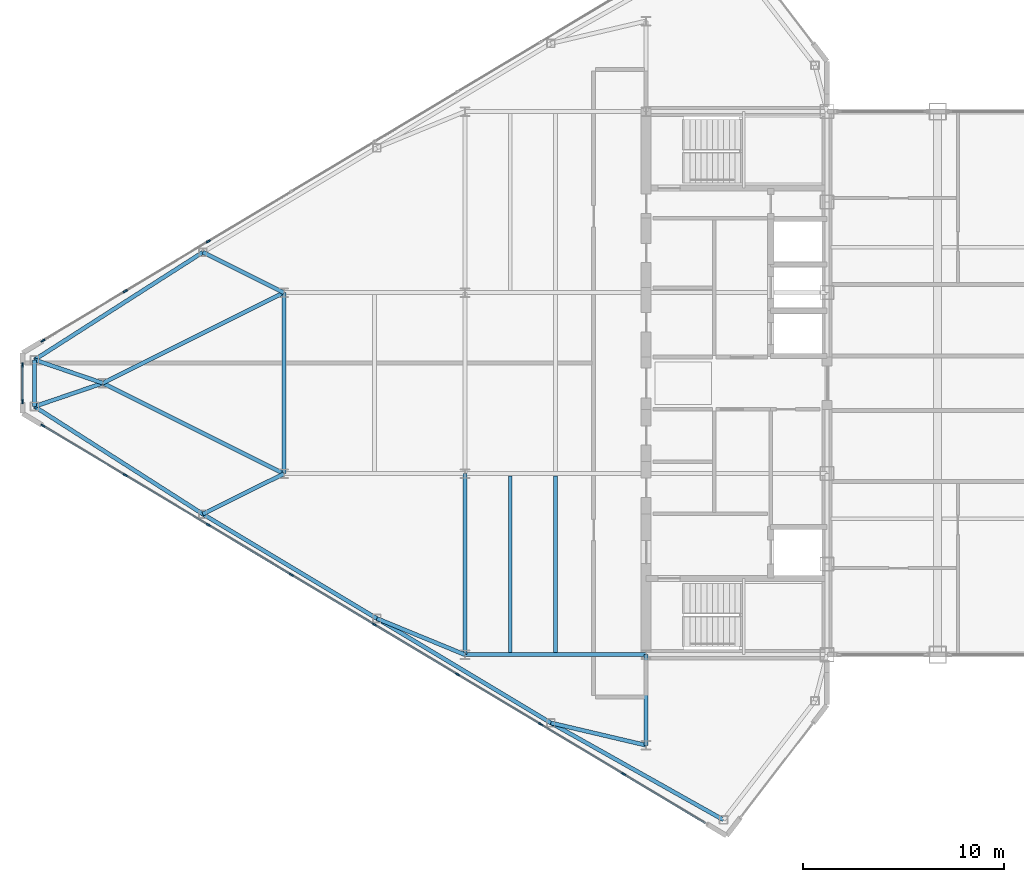
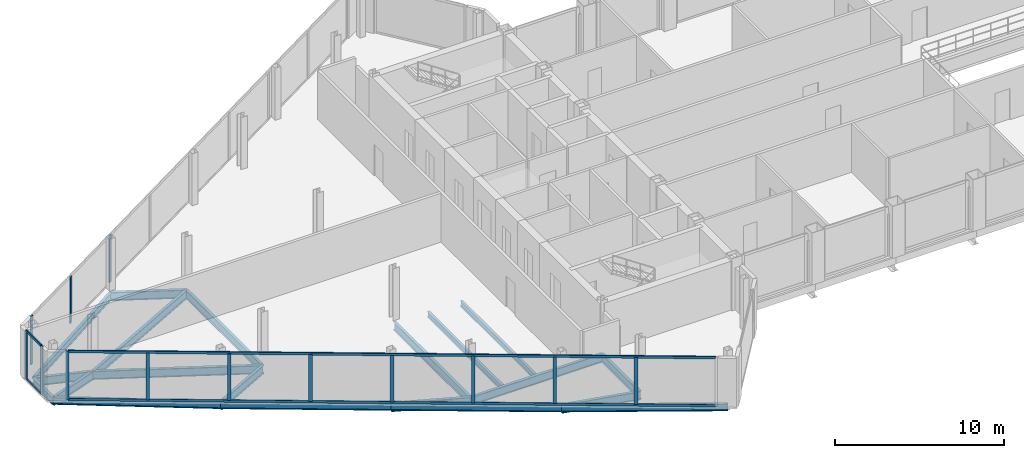
# One storey, part 8 of 29: 20 beams, 17 members, 3 elements without a shape of their own.
"""IFC4 building model written with IfcOpenShell, lengths in metres."""

from ifc_helpers import new_model, si_unit, direction, frame, origin, origin_2d, place, context, subcontext, project, spatial, rectangle, i_section, extrude, source, transform, mapped, material, layer, layer_set, material_profile, profile_set, type_object, type_shapes, element, aggregate, save


model = new_model("IFC4")

# Units and contexts
model_context = context("Model", 3, precision=1e-05, world=origin(), true_north=direction((0.0, 1.0)))
body_context = subcontext(model_context, "Body", "Model", "MODEL_VIEW")
ifc_project = project(units=[si_unit("LENGTHUNIT", "METRE"), si_unit("AREAUNIT", "SQUARE_METRE"), si_unit("VOLUMEUNIT", "CUBIC_METRE"), si_unit("PLANEANGLEUNIT", "RADIAN"), si_unit("MASSUNIT", "GRAM", prefix="KILO")], contexts=[model_context])

# Site, building, storey
site_placement = place(None, origin())
site = spatial("IfcSite", under=ifc_project, at=site_placement, CompositionType="ELEMENT")
building_placement = place(site_placement, origin())
building = spatial("IfcBuilding", under=site, at=building_placement, Name="Seokmaru Belvedere", CompositionType="ELEMENT")
storey_placement = place(building_placement, frame((0.0, 0.0, 258.14990234375)))
storey = spatial("IfcBuildingStorey", under=building, at=storey_placement, Name="L68", CompositionType="ELEMENT", Elevation=258.14990234375)

# Beams
ifc_material_1 = material(Name="Steel SM355 (355 MPa)", Category="steel")
ifc_material_profile_1 = material_profile(ifc_material_1, i_section(OverallWidth=0.199951171875, OverallDepth=0.60009765625, WebThickness=0.010986328125, FlangeThickness=0.01708984375, at=origin_2d()), Name="H-600x200x11x17")
ifc_profile_set_1 = profile_set([ifc_material_profile_1], Name="Steel SM355 (355 MPa)")
beam_type_1 = type_object("IfcBeamType", Name="Primary Floor Girder H-600", PredefinedType="BEAM", material=ifc_profile_set_1)
shared_shape_1 = source(origin(), body_context, "Body", "SweptSolid", [
    extrude(i_section(OverallWidth=0.199951171875, OverallDepth=0.60009765625, WebThickness=0.010986328125, FlangeThickness=0.01708984375, at=origin_2d()), origin(), (0.0, 0.0, 1.0), 9.0),
])
for number, where, z_axis, x_axis, name in (
    (1, (-45.5, -13.5, -0.52001953125), (0.0, 1.0, 0.0), (-1.0, 0.0, 0.0), "L68 W Interior Grid Girder 1"),
    (2, (-45.5, -13.5, -0.52001953125), (1.0, 0.0, 0.0), (0.0, 1.0, 0.0), "L68 W Wing Primary Girder 1"),
    (3, (-54.5, -4.5, -0.52001953125), (0.0, 1.0, 0.0), (-1.0, 0.0, 0.0), "L68 W Apex Frame Girder"),
):
    element("IfcBeam", number, at=place(storey_placement, frame(where, z_axis=z_axis, x_axis=x_axis)), inside=storey, type_object=beam_type_1, Name=name, PredefinedType="BEAM", context=body_context, shape_type="MappedRepresentation", body=[
        mapped(shared_shape_1, transform((0.0, 0.0, 0.0), scale=1.0)),
    ])
shared_shape_2 = source(origin(), body_context, "Body", "SweptSolid", [
    extrude(i_section(OverallWidth=0.199951171875, OverallDepth=0.60009765625, WebThickness=0.010986328125, FlangeThickness=0.01708984375, at=origin_2d()), origin(), (0.0, 0.0, 1.0), 10.062255859375),
])
for number, where, z_axis, x_axis, name in (
    (4, (-54.5, -4.5, -0.52001953125), (-0.894427191, 0.4472135955, 0.0), (-0.4472135955, -0.894427191, 0.0), "L68 W Apex Converging Girder 1"),
    (5, (-54.5, 4.5, -0.52001953125), (-0.894427191, -0.4472135955, 0.0), (0.4472135955, -0.894427191, 0.0), "L68 W Apex Converging Girder 2"),
):
    element("IfcBeam", number, at=place(storey_placement, frame(where, z_axis=z_axis, x_axis=x_axis)), inside=storey, type_object=beam_type_1, Name=name, PredefinedType="BEAM", context=body_context, shape_type="MappedRepresentation", body=[
        mapped(shared_shape_2, transform((0.0, 0.0, 0.0), scale=1.0)),
    ])
ifc_material_profile_2 = material_profile(ifc_material_1, i_section(OverallWidth=0.18505859375, OverallDepth=0.389892578125, WebThickness=0.008056640625, FlangeThickness=0.011962890625, at=origin_2d()), Name="H-390x185x8x12")
ifc_profile_set_2 = profile_set([ifc_material_profile_2], Name="Steel SM355 (355 MPa)")
beam_type_2 = type_object("IfcBeamType", Name="Secondary Floor Joist H-350", PredefinedType="JOIST", material=ifc_profile_set_2)
shared_shape_3 = source(origin(), body_context, "Body", "SweptSolid", [
    extrude(i_section(OverallWidth=0.18505859375, OverallDepth=0.389892578125, WebThickness=0.008056640625, FlangeThickness=0.011962890625, at=origin_2d()), origin(), (0.0, 0.0, 1.0), 8.7900390625),
])
type_shapes(beam_type_2, [shared_shape_3])
for number, where, z_axis, x_axis, name in (
    (6, (-43.25, -13.39501953125, -0.414794921875), (0.0, 1.0, 0.0), (-1.0, 0.0, 0.0), "L68 W Wing Inner Secondary Joist 1"),
    (7, (-41.0, -13.39501953125, -0.414794921875), (0.0, 1.0, 0.0), (-1.0, 0.0, 0.0), "L68 W Secondary Floor Joist 1"),
):
    element("IfcBeam", number, at=place(storey_placement, frame(where, z_axis=z_axis, x_axis=x_axis)), inside=storey, type_object=beam_type_2, Name=name, PredefinedType="JOIST", context=body_context, shape_type="MappedRepresentation", body=[
        mapped(shared_shape_3, transform((0.0, 0.0, 0.0), scale=1.0)),
    ])
shared_shape_4 = source(origin(), body_context, "Body", "SweptSolid", [
    extrude(i_section(OverallWidth=0.199951171875, OverallDepth=0.60009765625, WebThickness=0.010986328125, FlangeThickness=0.01708984375, at=origin_2d()), origin(), (0.0, 0.0, 1.0), 4.5),
])
beam_1_placement = place(storey_placement, frame((-36.5, -18.0, -0.52001953125), z_axis=(0.0, 1.0, 0.0), x_axis=(-1.0, 0.0, 0.0)))
element("IfcBeam", 8, at=beam_1_placement, inside=storey, type_object=beam_type_1, Name="L68 W Core Shoulder Girder S", PredefinedType="BEAM", context=body_context, shape_type="MappedRepresentation", body=[
    mapped(shared_shape_4, transform((0.0, 0.0, 0.0), scale=1.0)),
])
ifc_material_profile_3 = material_profile(ifc_material_1, i_section(OverallWidth=0.199951171875, OverallDepth=0.5, WebThickness=0.010009765625, FlangeThickness=0.01611328125, at=origin_2d()), Name="H-500x200x10x16")
ifc_profile_set_3 = profile_set([ifc_material_profile_3], Name="Steel SM355 (355 MPa)")
beam_type_3 = type_object("IfcBeamType", Name="Perimeter Spandrel Beam H-500", PredefinedType="SPANDREL", material=ifc_profile_set_3)
shared_shape_5 = source(origin(), body_context, "Body", "SweptSolid", [
    extrude(i_section(OverallWidth=0.199951171875, OverallDepth=0.5, WebThickness=0.010009765625, FlangeThickness=0.01611328125, at=origin_2d()), origin(), (0.0, 0.0, 1.0), 9.842041015625),
])
beam_2_placement = place(storey_placement, frame((-32.649658203125, -21.71044921875, -0.469970703125), z_axis=(-0.871782151818, 0.489893743349, 0.0), x_axis=(-0.489893743349, -0.871782151818, 0.0)))
element("IfcBeam", 9, at=beam_2_placement, inside=storey, type_object=beam_type_3, Name="L68 W Faceted Flank Spandrel S-1", PredefinedType="SPANDREL", context=body_context, shape_type="MappedRepresentation", body=[
    mapped(shared_shape_5, transform((0.0, 0.0, 0.0), scale=1.0)),
])
shared_shape_6 = source(origin(), body_context, "Body", "SweptSolid", [
    extrude(i_section(OverallWidth=0.199951171875, OverallDepth=0.5, WebThickness=0.010009765625, FlangeThickness=0.01611328125, at=origin_2d()), origin(), (0.0, 0.0, 1.0), 10.087646484375),
])
for number, where, z_axis, x_axis, name in (
    (10, (-41.229736328125, -16.888916015625, -0.469970703125), (-0.857499332045, 0.514485078056, 0.0), (-0.514485078056, -0.857499332045, 0.0), "L68 W Faceted Flank Spandrel S-2"),
    (11, (-49.8798828125, -11.698974609375, -0.469970703125), (-0.857488654804, 0.514502873542, 0.0), (-0.514502873542, -0.857488654804, 0.0), "L68 W Faceted Flank Spandrel S-3"),
):
    element("IfcBeam", number, at=place(storey_placement, frame(where, z_axis=z_axis, x_axis=x_axis)), inside=storey, type_object=beam_type_3, Name=name, PredefinedType="SPANDREL", context=body_context, shape_type="MappedRepresentation", body=[
        mapped(shared_shape_6, transform((0.0, 0.0, 0.0), scale=1.0)),
    ])
shared_shape_7 = source(origin(), body_context, "Body", "SweptSolid", [
    extrude(i_section(OverallWidth=0.199951171875, OverallDepth=0.5, WebThickness=0.010009765625, FlangeThickness=0.01611328125, at=origin_2d()), origin(), (0.0, 0.0, 1.0), 9.932861328125),
])
for number, where, z_axis, x_axis, name in (
    (12, (-58.530029296875, -6.5087890625, -0.469970703125), (-0.842651960357, 0.538458609093, 0.0), (-0.538458609093, -0.842651960357, 0.0), "L68 W Faceted Flank Spandrel S-4"),
    (13, (-58.530029296875, 6.5087890625, -0.469970703125), (-0.842651960357, -0.538458609093, 0.0), (0.538458609093, -0.842651960357, 0.0), "L68 W Faceted Flank Spandrel N-4"),
):
    element("IfcBeam", number, at=place(storey_placement, frame(where, z_axis=z_axis, x_axis=x_axis)), inside=storey, type_object=beam_type_3, Name=name, PredefinedType="SPANDREL", context=body_context, shape_type="MappedRepresentation", body=[
        mapped(shared_shape_7, transform((0.0, 0.0, 0.0), scale=1.0)),
    ])
shared_shape_8 = source(origin(), body_context, "Body", "SweptSolid", [
    extrude(i_section(OverallWidth=0.199951171875, OverallDepth=0.5, WebThickness=0.010009765625, FlangeThickness=0.01611328125, at=origin_2d()), origin(), (0.0, 0.0, 1.0), 2.32080078125),
])
type_shapes(beam_type_3, [shared_shape_5, shared_shape_6, shared_shape_7, shared_shape_8])
beam_3_placement = place(storey_placement, frame((-66.89990234375, -1.160400390625, -0.469970703125), z_axis=(0.0, 1.0, 0.0), x_axis=(-1.0, 0.0, 0.0)))
element("IfcBeam", 14, at=beam_3_placement, inside=storey, type_object=beam_type_3, Name="L68 W Faceted Apex Spandrel", PredefinedType="SPANDREL", context=body_context, shape_type="MappedRepresentation", body=[
    mapped(shared_shape_8, transform((0.0, 0.0, 0.0), scale=1.0)),
])
shared_shape_9 = source(origin(), body_context, "Body", "SweptSolid", [
    extrude(i_section(OverallWidth=0.199951171875, OverallDepth=0.60009765625, WebThickness=0.010986328125, FlangeThickness=0.01708984375, at=origin_2d()), origin(), (0.0, 0.0, 1.0), 4.8583984375),
])
beam_4_placement = place(storey_placement, frame((-41.229736328125, -16.888916015625, -0.52001953125), z_axis=(0.97349948295, -0.228689214211, 0.0), x_axis=(0.228689214211, 0.97349948295, 0.0)))
element("IfcBeam", 15, at=beam_4_placement, inside=storey, type_object=beam_type_1, Name="L68 W Flank Radial Floor Girder S-1", PredefinedType="BEAM", context=body_context, shape_type="MappedRepresentation", body=[
    mapped(shared_shape_9, transform((0.0, 0.0, 0.0), scale=1.0)),
])
shared_shape_10 = source(origin(), body_context, "Body", "SweptSolid", [
    extrude(i_section(OverallWidth=0.199951171875, OverallDepth=0.60009765625, WebThickness=0.010986328125, FlangeThickness=0.01708984375, at=origin_2d()), origin(), (0.0, 0.0, 1.0), 4.73583984375),
])
beam_5_placement = place(storey_placement, frame((-49.8798828125, -11.698974609375, -0.52001953125), z_axis=(0.924860562953, -0.380306375301, 0.0), x_axis=(0.380306375301, 0.924860562953, 0.0)))
element("IfcBeam", 16, at=beam_5_placement, inside=storey, type_object=beam_type_1, Name="L68 W Flank Radial Floor Girder S-2", PredefinedType="BEAM", context=body_context, shape_type="MappedRepresentation", body=[
    mapped(shared_shape_10, transform((0.0, 0.0, 0.0), scale=1.0)),
])
shared_shape_11 = source(origin(), body_context, "Body", "SweptSolid", [
    extrude(i_section(OverallWidth=0.199951171875, OverallDepth=0.60009765625, WebThickness=0.010986328125, FlangeThickness=0.01708984375, at=origin_2d()), origin(), (0.0, 0.0, 1.0), 4.5029296875),
])
for number, where, z_axis, x_axis, name in (
    (17, (-58.530029296875, -6.5087890625, -0.52001953125), (0.894979532585, 0.446107202648, 0.0), (-0.446107202648, 0.894979532585, 0.0), "L68 W Flank Radial Floor Girder S-3"),
    (18, (-58.530029296875, 6.5087890625, -0.52001953125), (0.894979532585, -0.446107202648, 0.0), (0.446107202648, 0.894979532585, 0.0), "L68 W Flank Radial Floor Girder N-3"),
):
    element("IfcBeam", number, at=place(storey_placement, frame(where, z_axis=z_axis, x_axis=x_axis)), inside=storey, type_object=beam_type_1, Name=name, PredefinedType="BEAM", context=body_context, shape_type="MappedRepresentation", body=[
        mapped(shared_shape_11, transform((0.0, 0.0, 0.0), scale=1.0)),
    ])
shared_shape_12 = source(origin(), body_context, "Body", "SweptSolid", [
    extrude(i_section(OverallWidth=0.199951171875, OverallDepth=0.60009765625, WebThickness=0.010986328125, FlangeThickness=0.01708984375, at=origin_2d()), origin(), (0.0, 0.0, 1.0), 3.592529296875),
])
type_shapes(beam_type_1, [shared_shape_1, shared_shape_2, shared_shape_4, shared_shape_9, shared_shape_10, shared_shape_11, shared_shape_12])
for number, where, z_axis, x_axis, name in (
    (19, (-66.89990234375, -1.160400390625, -0.52001953125), (0.946395973048, 0.323008764893, 0.0), (-0.323008764893, 0.946395973048, 0.0), "L68 W Apex Radial Floor Girder 1"),
    (20, (-66.89990234375, 1.160400390625, -0.52001953125), (0.946395973048, -0.323008764893, 0.0), (0.323008764893, 0.946395973048, 0.0), "L68 W Apex Radial Floor Girder 2"),
):
    element("IfcBeam", number, at=place(storey_placement, frame(where, z_axis=z_axis, x_axis=x_axis)), inside=storey, type_object=beam_type_1, Name=name, PredefinedType="BEAM", context=body_context, shape_type="MappedRepresentation", body=[
        mapped(shared_shape_12, transform((0.0, 0.0, 0.0), scale=1.0)),
    ])

# Curtain wall, members
ifc_material_2 = material(Name="Bronze Triple Insulating Glass", Category="glass")
ifc_layer = layer(ifc_material_2, 0.219970703125)
ifc_layer_set = layer_set([ifc_layer], Name="Bronze Triple Insulating Glass")
curtain_wall_type = type_object("IfcCurtainWallType", Name="Sky-Gate Bridge Panorama Curtain Wall System CW-6", PredefinedType="NOTDEFINED", material=ifc_layer_set)
curtain_wall_1_placement = place(storey_placement, origin())
curtain_wall_1 = element("IfcCurtainWall", 21, at=curtain_wall_1_placement, inside=storey, type_object=curtain_wall_type, Name="L68 Curtain Wall WF5", PredefinedType="NOTDEFINED")
ifc_material_3 = material(Name="Anodised Bronze Aluminium", Category="aluminium")
ifc_material_profile_4 = material_profile(ifc_material_3, rectangle(XDim=0.074951171875, YDim=0.179931640625, at=origin_2d()), Name="CW-T-75x180")
ifc_profile_set_4 = profile_set([ifc_material_profile_4], Name="Anodised Bronze Aluminium")
member_type_1 = type_object("IfcMemberType", Name="Bronze Unitised Transom 75x180", PredefinedType="USERDEFINED", material=ifc_profile_set_4)
shared_shape_13 = source(origin(), body_context, "Body", "SweptSolid", [
    extrude(rectangle(XDim=0.074951171875, YDim=0.179931640625, at=origin_2d()), origin(), (0.0, 0.0, 1.0), 38.356689453125),
])
member_1_placement = place(storey_placement, frame((-66.4453125, -2.1328125, 0.03759765625), z_axis=(0.857492925713, -0.514495755428, 0.0), x_axis=(0.514495755428, 0.857492925713, 0.0)))
member_1 = element("IfcMember", 22, at=member_1_placement, type_object=member_type_1, Name="CW:L68:WF5 Continuous Transom 1", ObjectType="TRANSOM", PredefinedType="USERDEFINED", context=body_context, shape_type="MappedRepresentation", body=[
    mapped(shared_shape_13, transform((0.0, 0.0, 0.0), scale=1.0)),
])
member_2_placement = place(storey_placement, frame((-66.4453125, -2.1328125, 3.49267578125), z_axis=(0.857492925713, -0.514495755428, 0.0), x_axis=(0.514495755428, 0.857492925713, 0.0)))
member_2 = element("IfcMember", 23, at=member_2_placement, type_object=member_type_1, Name="CW:L68:WF5 Continuous Transom 2", ObjectType="TRANSOM", PredefinedType="USERDEFINED", context=body_context, shape_type="MappedRepresentation", body=[
    mapped(shared_shape_13, transform((0.0, 0.0, 0.0), scale=1.0)),
])

curtain_wall_2_placement = place(storey_placement, origin())
curtain_wall_2 = element("IfcCurtainWall", 24, at=curtain_wall_2_placement, inside=storey, type_object=curtain_wall_type, Name="L68 Curtain Wall WF4", PredefinedType="NOTDEFINED")
shared_shape_14 = source(origin(), body_context, "Body", "SweptSolid", [
    extrude(rectangle(XDim=0.074951171875, YDim=0.179931640625, at=origin_2d()), origin(), (0.0, 0.0, 1.0), 1.740234375),
])
type_shapes(member_type_1, [shared_shape_13, shared_shape_14])
member_3_placement = place(storey_placement, frame((-67.5, 0.8701171875, 0.03759765625), z_axis=(0.0, -1.0, 0.0), x_axis=(1.0, 0.0, 0.0)))
member_3 = element("IfcMember", 25, at=member_3_placement, type_object=member_type_1, Name="CW:L68:WF4 Continuous Transom 1", ObjectType="TRANSOM", PredefinedType="USERDEFINED", context=body_context, shape_type="MappedRepresentation", body=[
    mapped(shared_shape_14, transform((0.0, 0.0, 0.0), scale=1.0)),
])
member_4_placement = place(storey_placement, frame((-67.5, 0.8701171875, 3.49267578125), z_axis=(0.0, -1.0, 0.0), x_axis=(1.0, 0.0, 0.0)))
member_4 = element("IfcMember", 26, at=member_4_placement, type_object=member_type_1, Name="CW:L68:WF4 Continuous Transom 2", ObjectType="TRANSOM", PredefinedType="USERDEFINED", context=body_context, shape_type="MappedRepresentation", body=[
    mapped(shared_shape_14, transform((0.0, 0.0, 0.0), scale=1.0)),
])

# Curtain wall, member
curtain_wall_3_placement = place(storey_placement, origin())
curtain_wall_3 = element("IfcCurtainWall", 27, at=curtain_wall_3_placement, inside=storey, type_object=curtain_wall_type, Name="L68 Curtain Wall WF3", PredefinedType="NOTDEFINED")
ifc_material_profile_5 = material_profile(ifc_material_3, rectangle(XDim=0.080078125, YDim=0.219970703125, at=origin_2d()), Name="CW-M-80x220")
ifc_profile_set_5 = profile_set([ifc_material_profile_5], Name="Anodised Bronze Aluminium")
member_type_2 = type_object("IfcMemberType", Name="Bronze Unitised Mullion 80x220", PredefinedType="MULLION", material=ifc_profile_set_5)
shared_shape_15 = source(origin(), body_context, "Body", "SweptSolid", [
    extrude(rectangle(XDim=0.080078125, YDim=0.219970703125, at=origin_2d()), origin(), (0.0, 0.0, 1.0), 3.530029296875),
])
member_5_placement = place(storey_placement, frame((-66.4794921875, 2.1123046875, 0.0), z_axis=(0.0, 0.0, 1.0), x_axis=(0.514494909364, -0.85749343335, 0.0)))
member_5 = element("IfcMember", 28, at=member_5_placement, type_object=member_type_2, Name="CW:L68:WF3 Mullion 9", PredefinedType="MULLION", context=body_context, shape_type="MappedRepresentation", body=[
    mapped(shared_shape_15, transform((0.0, 0.0, 0.0), scale=1.0)),
])

# Member
member_6_placement = place(storey_placement, frame((-67.5, 0.909912109375, 0.0), z_axis=(0.0, 0.0, 1.0), x_axis=(1.0, 0.0, 0.0)))
member_6 = element("IfcMember", 29, at=member_6_placement, type_object=member_type_2, Name="CW:L68:WF4 Mullion 1", PredefinedType="MULLION", context=body_context, shape_type="MappedRepresentation", body=[
    mapped(shared_shape_15, transform((0.0, 0.0, 0.0), scale=1.0)),
])

member_7_placement = place(storey_placement, frame((-67.5, -0.909912109375, 0.0), z_axis=(0.0, 0.0, 1.0), x_axis=(1.0, 0.0, 0.0)))
member_7 = element("IfcMember", 30, at=member_7_placement, type_object=member_type_2, Name="CW:L68:WF4 Mullion 2", PredefinedType="MULLION", context=body_context, shape_type="MappedRepresentation", body=[
    mapped(shared_shape_15, transform((0.0, 0.0, 0.0), scale=1.0)),
])

aggregate(curtain_wall_2, [member_6, member_7, member_3, member_4])

member_8_placement = place(storey_placement, frame((-66.4794921875, -2.1123046875, 0.0), z_axis=(0.0, 0.0, 1.0), x_axis=(0.514494909364, 0.85749343335, 0.0)))
member_8 = element("IfcMember", 31, at=member_8_placement, type_object=member_type_2, Name="CW:L68:WF5 Mullion 1", PredefinedType="MULLION", context=body_context, shape_type="MappedRepresentation", body=[
    mapped(shared_shape_15, transform((0.0, 0.0, 0.0), scale=1.0)),
])

shared_shape_16 = source(origin(), body_context, "Body", "SweptSolid", [
    extrude(rectangle(XDim=0.080078125, YDim=0.219970703125, at=origin_2d()), origin(), (0.0, 0.0, 1.0), 3.3798828125),
])
type_shapes(member_type_2, [shared_shape_15, shared_shape_16])
member_9_placement = place(storey_placement, frame((-58.257080078125, 7.0458984375, 0.0751953125), z_axis=(0.0, 0.0, 1.0), x_axis=(0.514494909364, -0.85749343335, 0.0)))
member_9 = element("IfcMember", 32, at=member_9_placement, type_object=member_type_2, Name="CW:L68:WF3 Mullion 7", PredefinedType="MULLION", context=body_context, shape_type="MappedRepresentation", body=[
    mapped(shared_shape_16, transform((0.0, 0.0, 0.0), scale=1.0)),
])

member_10_placement = place(storey_placement, frame((-62.385498046875, 4.56884765625, 0.0751953125), z_axis=(0.0, 0.0, 1.0), x_axis=(0.514494909364, -0.85749343335, 0.0)))
member_10 = element("IfcMember", 33, at=member_10_placement, type_object=member_type_2, Name="CW:L68:WF3 Mullion 8", PredefinedType="MULLION", context=body_context, shape_type="MappedRepresentation", body=[
    mapped(shared_shape_16, transform((0.0, 0.0, 0.0), scale=1.0)),
])

aggregate(curtain_wall_3, [member_9, member_10, member_5])

member_11_placement = place(storey_placement, frame((-62.385498046875, -4.56884765625, 0.0751953125), z_axis=(0.0, 0.0, 1.0), x_axis=(0.514494909364, 0.85749343335, 0.0)))
member_11 = element("IfcMember", 34, at=member_11_placement, type_object=member_type_2, Name="CW:L68:WF5 Mullion 2", PredefinedType="MULLION", context=body_context, shape_type="MappedRepresentation", body=[
    mapped(shared_shape_16, transform((0.0, 0.0, 0.0), scale=1.0)),
])

member_12_placement = place(storey_placement, frame((-58.257080078125, -7.0458984375, 0.0751953125), z_axis=(0.0, 0.0, 1.0), x_axis=(0.514494909364, 0.85749343335, 0.0)))
member_12 = element("IfcMember", 35, at=member_12_placement, type_object=member_type_2, Name="CW:L68:WF5 Mullion 3", PredefinedType="MULLION", context=body_context, shape_type="MappedRepresentation", body=[
    mapped(shared_shape_16, transform((0.0, 0.0, 0.0), scale=1.0)),
])

member_13_placement = place(storey_placement, frame((-54.12841796875, -9.52294921875, 0.0751953125), z_axis=(0.0, 0.0, 1.0), x_axis=(0.514494909364, 0.85749343335, 0.0)))
member_13 = element("IfcMember", 36, at=member_13_placement, type_object=member_type_2, Name="CW:L68:WF5 Mullion 4", PredefinedType="MULLION", context=body_context, shape_type="MappedRepresentation", body=[
    mapped(shared_shape_16, transform((0.0, 0.0, 0.0), scale=1.0)),
])

member_14_placement = place(storey_placement, frame((-50.0, -12.0, 0.0751953125), z_axis=(0.0, 0.0, 1.0), x_axis=(0.514494909364, 0.85749343335, 0.0)))
member_14 = element("IfcMember", 37, at=member_14_placement, type_object=member_type_2, Name="CW:L68:WF5 Mullion 5", PredefinedType="MULLION", context=body_context, shape_type="MappedRepresentation", body=[
    mapped(shared_shape_16, transform((0.0, 0.0, 0.0), scale=1.0)),
])

member_15_placement = place(storey_placement, frame((-45.87158203125, -14.47705078125, 0.0751953125), z_axis=(0.0, 0.0, 1.0), x_axis=(0.514494909364, 0.85749343335, 0.0)))
member_15 = element("IfcMember", 38, at=member_15_placement, type_object=member_type_2, Name="CW:L68:WF5 Mullion 6", PredefinedType="MULLION", context=body_context, shape_type="MappedRepresentation", body=[
    mapped(shared_shape_16, transform((0.0, 0.0, 0.0), scale=1.0)),
])

member_16_placement = place(storey_placement, frame((-41.742919921875, -16.9541015625, 0.0751953125), z_axis=(0.0, 0.0, 1.0), x_axis=(0.514494909364, 0.85749343335, 0.0)))
member_16 = element("IfcMember", 39, at=member_16_placement, type_object=member_type_2, Name="CW:L68:WF5 Mullion 7", PredefinedType="MULLION", context=body_context, shape_type="MappedRepresentation", body=[
    mapped(shared_shape_16, transform((0.0, 0.0, 0.0), scale=1.0)),
])

member_17_placement = place(storey_placement, frame((-37.614501953125, -19.43115234375, 0.0751953125), z_axis=(0.0, 0.0, 1.0), x_axis=(0.514494909364, 0.85749343335, 0.0)))
member_17 = element("IfcMember", 40, at=member_17_placement, type_object=member_type_2, Name="CW:L68:WF5 Mullion 8", PredefinedType="MULLION", context=body_context, shape_type="MappedRepresentation", body=[
    mapped(shared_shape_16, transform((0.0, 0.0, 0.0), scale=1.0)),
])

aggregate(curtain_wall_1, [member_8, member_11, member_12, member_13, member_14, member_15, member_16, member_17, member_1, member_2])

save(model, "model.ifc")
